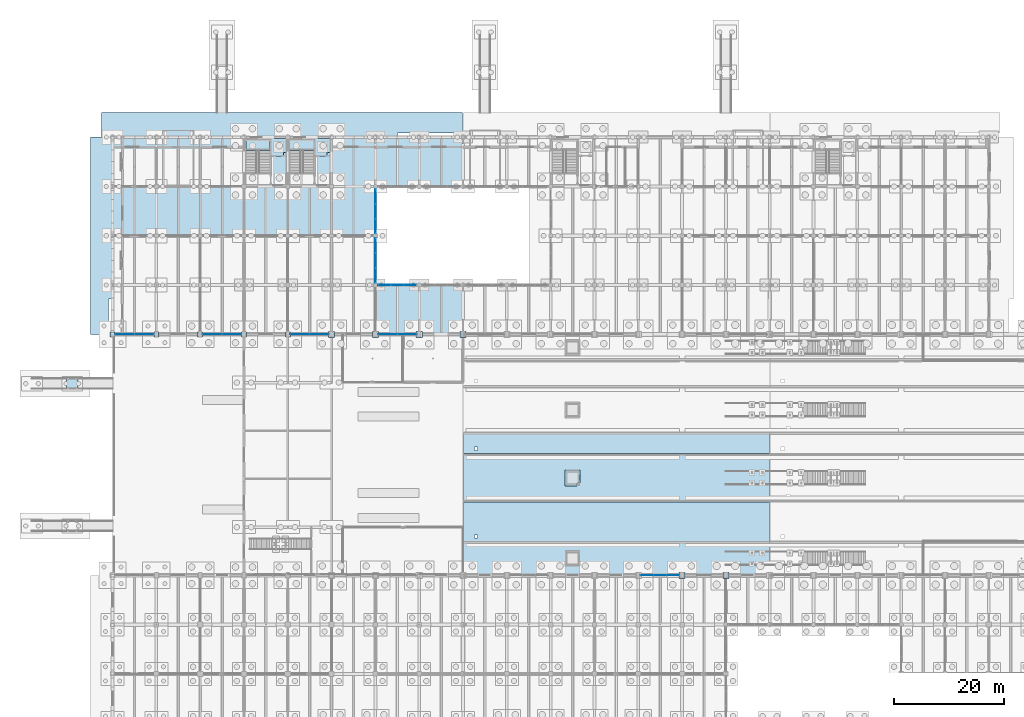
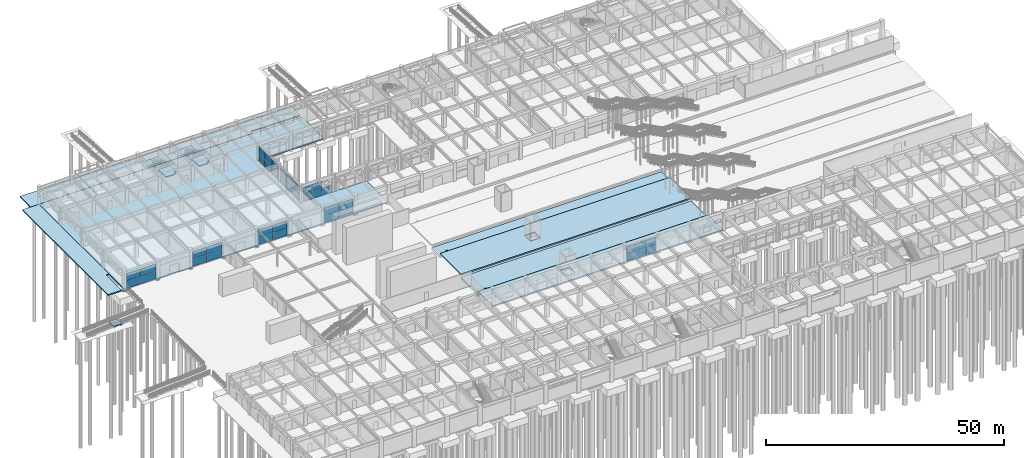
# One storey, part 92 of 147: 50 plates, 13 slabs, 11 elements without a shape of their own.
"""IFC4 building model written with IfcOpenShell, lengths in metres."""

from ifc_helpers import new_model, si_unit, direction, frame, origin, origin_2d, place, context, subcontext, project, spatial, polyline, rectangle, outline, extrude, material, layer, layer_set, type_object, element, aggregate, save


model = new_model("IFC4")

# Units and contexts
model_context = context("Model", 3, precision=1e-05, world=origin(), true_north=direction((0.0, 1.0)))
body_context = subcontext(model_context, "Body", "Model", "MODEL_VIEW")
ifc_project = project(units=[si_unit("LENGTHUNIT", "METRE"), si_unit("AREAUNIT", "SQUARE_METRE"), si_unit("VOLUMEUNIT", "CUBIC_METRE"), si_unit("PLANEANGLEUNIT", "RADIAN"), si_unit("MASSUNIT", "GRAM", prefix="KILO")], contexts=[model_context])

# Site, building, storey
site_placement = place(None, origin())
site = spatial("IfcSite", under=ifc_project, at=site_placement, CompositionType="ELEMENT")
building_placement = place(site_placement, origin())
building = spatial("IfcBuilding", under=site, at=building_placement, Name="Varnabhumi Central Station", CompositionType="ELEMENT")
storey_placement = place(building_placement, origin())
storey = spatial("IfcBuildingStorey", under=building, at=storey_placement, Name="L00", CompositionType="ELEMENT", Elevation=0.0)

# Curtain wall, plates
ifc_material_1 = material(Name="Anodised aluminium 6063-T6", Category="aluminium")
curtain_wall_type_1 = type_object("IfcCurtainWallType", Name="CW-PATIO-LOGGIA-L0", PredefinedType="NOTDEFINED", material=ifc_material_1)
curtain_wall_1_placement = place(storey_placement, origin())
curtain_wall_1 = element("IfcCurtainWall", 1, at=curtain_wall_1_placement, inside=storey, type_object=curtain_wall_type_1, Name="Curtain Wall CW-NP0S1", PredefinedType="NOTDEFINED")
ifc_material_2 = material(Name="Laminated low-E double glazing", Category="glass")
ifc_layer_1 = layer(ifc_material_2, 0.035888671875, Name="Laminated low-E double glazing", Category="glass")
ifc_layer_set_1 = layer_set([ifc_layer_1], Name="Laminated low-E double glazing")
plate_type_1 = type_object("IfcPlateType", Name="CW-PNL-GLZ-1", PredefinedType="CURTAIN_PANEL", material=ifc_layer_set_1)
plate_1_placement = place(storey_placement, frame((49.679931640625, 89.0, 0.0400390625), z_axis=(0.0, 0.0, 1.0), x_axis=(1.0, 0.0, 0.0)))
plate_1 = element("IfcPlate", 2, at=plate_1_placement, type_object=plate_type_1, Name="Glazed Panel CW-NP0S1-P11", PredefinedType="CURTAIN_PANEL", context=body_context, shape_type="SweptSolid", body=[
    extrude(rectangle(XDim=2.239990234375, YDim=0.035888671875, at=origin_2d()), origin(), (0.0, 0.0, 1.0), 1.840087890625),
])
plate_2_placement = place(storey_placement, frame((49.679931640625, 89.0, 1.9599609375), z_axis=(0.0, 0.0, 1.0), x_axis=(1.0, 0.0, 0.0)))
plate_2 = element("IfcPlate", 3, at=plate_2_placement, type_object=plate_type_1, Name="Glazed Panel CW-NP0S1-P12", PredefinedType="CURTAIN_PANEL", context=body_context, shape_type="SweptSolid", body=[
    extrude(rectangle(XDim=2.239990234375, YDim=0.035888671875, at=origin_2d()), origin(), (0.0, 0.0, 1.0), 1.840087890625),
])
plate_3_placement = place(storey_placement, frame((52.0, 89.0, 0.0400390625), z_axis=(0.0, 0.0, 1.0), x_axis=(1.0, 0.0, 0.0)))
plate_3 = element("IfcPlate", 4, at=plate_3_placement, type_object=plate_type_1, Name="Glazed Panel CW-NP0S1-P21", PredefinedType="CURTAIN_PANEL", context=body_context, shape_type="SweptSolid", body=[
    extrude(rectangle(XDim=2.239990234375, YDim=0.035888671875, at=origin_2d()), origin(), (0.0, 0.0, 1.0), 1.840087890625),
])
plate_4_placement = place(storey_placement, frame((52.0, 89.0, 1.9599609375), z_axis=(0.0, 0.0, 1.0), x_axis=(1.0, 0.0, 0.0)))
plate_4 = element("IfcPlate", 5, at=plate_4_placement, type_object=plate_type_1, Name="Glazed Panel CW-NP0S1-P22", PredefinedType="CURTAIN_PANEL", context=body_context, shape_type="SweptSolid", body=[
    extrude(rectangle(XDim=2.239990234375, YDim=0.035888671875, at=origin_2d()), origin(), (0.0, 0.0, 1.0), 1.840087890625),
])
plate_5_placement = place(storey_placement, frame((54.320068359375, 89.0, 0.0400390625), z_axis=(0.0, 0.0, 1.0), x_axis=(1.0, 0.0, 0.0)))
plate_5 = element("IfcPlate", 6, at=plate_5_placement, type_object=plate_type_1, Name="Glazed Panel CW-NP0S1-P31", PredefinedType="CURTAIN_PANEL", context=body_context, shape_type="SweptSolid", body=[
    extrude(rectangle(XDim=2.239990234375, YDim=0.035888671875, at=origin_2d()), origin(), (0.0, 0.0, 1.0), 1.840087890625),
])
aggregate(curtain_wall_1, [plate_1, plate_2, plate_3, plate_4, plate_5])

curtain_wall_2_placement = place(storey_placement, origin())
curtain_wall_2 = element("IfcCurtainWall", 7, at=curtain_wall_2_placement, inside=storey, type_object=curtain_wall_type_1, Name="Curtain Wall CW-NP0E1", PredefinedType="NOTDEFINED")
ifc_layer_2 = layer(ifc_material_2, 0.035888671875, Name="Laminated low-E double glazing", Category="glass")
ifc_layer_set_2 = layer_set([ifc_layer_2], Name="Laminated low-E double glazing")
plate_type_2 = type_object("IfcPlateType", Name="CW-PNL-GLZ-2", PredefinedType="CURTAIN_PANEL", material=ifc_layer_set_2)
plate_6_placement = place(storey_placement, frame((48.0, 90.780029296875, 0.0400390625), z_axis=(0.0, 0.0, 1.0), x_axis=(0.0, 1.0, 0.0)))
plate_6 = element("IfcPlate", 8, at=plate_6_placement, type_object=plate_type_2, Name="Glazed Panel CW-NP0E1-P11", PredefinedType="CURTAIN_PANEL", context=body_context, shape_type="SweptSolid", body=[
    extrude(rectangle(XDim=2.639892578125, YDim=0.035888671875, at=origin_2d()), origin(), (0.0, 0.0, 1.0), 1.840087890625),
])
plate_7_placement = place(storey_placement, frame((48.0, 90.780029296875, 1.9599609375), z_axis=(0.0, 0.0, 1.0), x_axis=(0.0, 1.0, 0.0)))
plate_7 = element("IfcPlate", 9, at=plate_7_placement, type_object=plate_type_2, Name="Glazed Panel CW-NP0E1-P12", PredefinedType="CURTAIN_PANEL", context=body_context, shape_type="SweptSolid", body=[
    extrude(rectangle(XDim=2.639892578125, YDim=0.035888671875, at=origin_2d()), origin(), (0.0, 0.0, 1.0), 1.840087890625),
])
plate_8_placement = place(storey_placement, frame((48.0, 93.5, 0.0400390625), z_axis=(0.0, 0.0, 1.0), x_axis=(0.0, 1.0, 0.0)))
plate_8 = element("IfcPlate", 10, at=plate_8_placement, type_object=plate_type_2, Name="Glazed Panel CW-NP0E1-P21", PredefinedType="CURTAIN_PANEL", context=body_context, shape_type="SweptSolid", body=[
    extrude(rectangle(XDim=2.639892578125, YDim=0.035888671875, at=origin_2d()), origin(), (0.0, 0.0, 1.0), 1.840087890625),
])
plate_9_placement = place(storey_placement, frame((48.0, 93.5, 1.9599609375), z_axis=(0.0, 0.0, 1.0), x_axis=(0.0, 1.0, 0.0)))
plate_9 = element("IfcPlate", 11, at=plate_9_placement, type_object=plate_type_2, Name="Glazed Panel CW-NP0E1-P22", PredefinedType="CURTAIN_PANEL", context=body_context, shape_type="SweptSolid", body=[
    extrude(rectangle(XDim=2.639892578125, YDim=0.035888671875, at=origin_2d()), origin(), (0.0, 0.0, 1.0), 1.840087890625),
])
plate_10_placement = place(storey_placement, frame((48.0, 96.219970703125, 0.0400390625), z_axis=(0.0, 0.0, 1.0), x_axis=(0.0, 1.0, 0.0)))
plate_10 = element("IfcPlate", 12, at=plate_10_placement, type_object=plate_type_2, Name="Glazed Panel CW-NP0E1-P31", PredefinedType="CURTAIN_PANEL", context=body_context, shape_type="SweptSolid", body=[
    extrude(rectangle(XDim=2.639892578125, YDim=0.035888671875, at=origin_2d()), origin(), (0.0, 0.0, 1.0), 1.840087890625),
])
plate_11_placement = place(storey_placement, frame((48.0, 96.219970703125, 1.9599609375), z_axis=(0.0, 0.0, 1.0), x_axis=(0.0, 1.0, 0.0)))
plate_11 = element("IfcPlate", 13, at=plate_11_placement, type_object=plate_type_2, Name="Glazed Panel CW-NP0E1-P32", PredefinedType="CURTAIN_PANEL", context=body_context, shape_type="SweptSolid", body=[
    extrude(rectangle(XDim=2.639892578125, YDim=0.035888671875, at=origin_2d()), origin(), (0.0, 0.0, 1.0), 1.840087890625),
])
aggregate(curtain_wall_2, [plate_6, plate_7, plate_8, plate_9, plate_10, plate_11])

curtain_wall_3_placement = place(storey_placement, origin())
curtain_wall_3 = element("IfcCurtainWall", 14, at=curtain_wall_3_placement, inside=storey, type_object=curtain_wall_type_1, Name="Curtain Wall CW-NP0E2", PredefinedType="NOTDEFINED")
plate_12_placement = place(storey_placement, frame((48.0, 99.780029296875, 0.0400390625), z_axis=(0.0, 0.0, 1.0), x_axis=(0.0, 1.0, 0.0)))
plate_12 = element("IfcPlate", 15, at=plate_12_placement, type_object=plate_type_2, Name="Glazed Panel CW-NP0E2-P11", PredefinedType="CURTAIN_PANEL", context=body_context, shape_type="SweptSolid", body=[
    extrude(rectangle(XDim=2.639892578125, YDim=0.035888671875, at=origin_2d()), origin(), (0.0, 0.0, 1.0), 1.840087890625),
])
plate_13_placement = place(storey_placement, frame((48.0, 99.780029296875, 1.9599609375), z_axis=(0.0, 0.0, 1.0), x_axis=(0.0, 1.0, 0.0)))
plate_13 = element("IfcPlate", 16, at=plate_13_placement, type_object=plate_type_2, Name="Glazed Panel CW-NP0E2-P12", PredefinedType="CURTAIN_PANEL", context=body_context, shape_type="SweptSolid", body=[
    extrude(rectangle(XDim=2.639892578125, YDim=0.035888671875, at=origin_2d()), origin(), (0.0, 0.0, 1.0), 1.840087890625),
])
plate_14_placement = place(storey_placement, frame((48.0, 102.5, 0.0400390625), z_axis=(0.0, 0.0, 1.0), x_axis=(0.0, 1.0, 0.0)))
plate_14 = element("IfcPlate", 17, at=plate_14_placement, type_object=plate_type_2, Name="Glazed Panel CW-NP0E2-P21", PredefinedType="CURTAIN_PANEL", context=body_context, shape_type="SweptSolid", body=[
    extrude(rectangle(XDim=2.639892578125, YDim=0.035888671875, at=origin_2d()), origin(), (0.0, 0.0, 1.0), 1.840087890625),
])
plate_15_placement = place(storey_placement, frame((48.0, 102.5, 1.9599609375), z_axis=(0.0, 0.0, 1.0), x_axis=(0.0, 1.0, 0.0)))
plate_15 = element("IfcPlate", 18, at=plate_15_placement, type_object=plate_type_2, Name="Glazed Panel CW-NP0E2-P22", PredefinedType="CURTAIN_PANEL", context=body_context, shape_type="SweptSolid", body=[
    extrude(rectangle(XDim=2.639892578125, YDim=0.035888671875, at=origin_2d()), origin(), (0.0, 0.0, 1.0), 1.840087890625),
])
plate_16_placement = place(storey_placement, frame((48.0, 105.219970703125, 0.0400390625), z_axis=(0.0, 0.0, 1.0), x_axis=(0.0, 1.0, 0.0)))
plate_16 = element("IfcPlate", 19, at=plate_16_placement, type_object=plate_type_2, Name="Glazed Panel CW-NP0E2-P31", PredefinedType="CURTAIN_PANEL", context=body_context, shape_type="SweptSolid", body=[
    extrude(rectangle(XDim=2.639892578125, YDim=0.035888671875, at=origin_2d()), origin(), (0.0, 0.0, 1.0), 1.840087890625),
])
plate_17_placement = place(storey_placement, frame((48.0, 105.219970703125, 1.9599609375), z_axis=(0.0, 0.0, 1.0), x_axis=(0.0, 1.0, 0.0)))
plate_17 = element("IfcPlate", 20, at=plate_17_placement, type_object=plate_type_2, Name="Glazed Panel CW-NP0E2-P32", PredefinedType="CURTAIN_PANEL", context=body_context, shape_type="SweptSolid", body=[
    extrude(rectangle(XDim=2.639892578125, YDim=0.035888671875, at=origin_2d()), origin(), (0.0, 0.0, 1.0), 1.840087890625),
])
aggregate(curtain_wall_3, [plate_12, plate_13, plate_14, plate_15, plate_16, plate_17])

curtain_wall_type_2 = type_object("IfcCurtainWallType", Name="CW-SPINE-SCREEN-L0", PredefinedType="NOTDEFINED", material=ifc_material_1)
curtain_wall_4_placement = place(storey_placement, origin())
curtain_wall_4 = element("IfcCurtainWall", 21, at=curtain_wall_4_placement, inside=storey, type_object=curtain_wall_type_2, Name="Curtain Wall CW-SS012", PredefinedType="NOTDEFINED")
ifc_layer_3 = layer(ifc_material_2, 0.035888671875, Name="Laminated low-E double glazing", Category="glass")
ifc_layer_set_3 = layer_set([ifc_layer_3], Name="Laminated low-E double glazing")
plate_type_3 = type_object("IfcPlateType", Name="CW-PNL-GLZ-4", PredefinedType="CURTAIN_PANEL", material=ifc_layer_set_3)
plate_18_placement = place(storey_placement, frame((97.63330078125, 36.0, 0.0400390625), z_axis=(0.0, 0.0, 1.0), x_axis=(1.0, 0.0, 0.0)))
plate_18 = element("IfcPlate", 22, at=plate_18_placement, type_object=plate_type_3, Name="Glazed Panel CW-SS012-P11", PredefinedType="CURTAIN_PANEL", context=body_context, shape_type="SweptSolid", body=[
    extrude(rectangle(XDim=2.28662109375, YDim=0.035888671875, at=origin_2d()), origin(), (0.0, 0.0, 1.0), 1.840087890625),
])
plate_19_placement = place(storey_placement, frame((97.63330078125, 36.0, 1.9599609375), z_axis=(0.0, 0.0, 1.0), x_axis=(1.0, 0.0, 0.0)))
plate_19 = element("IfcPlate", 23, at=plate_19_placement, type_object=plate_type_3, Name="Glazed Panel CW-SS012-P12", PredefinedType="CURTAIN_PANEL", context=body_context, shape_type="SweptSolid", body=[
    extrude(rectangle(XDim=2.28662109375, YDim=0.035888671875, at=origin_2d()), origin(), (0.0, 0.0, 1.0), 1.840087890625),
])
plate_20_placement = place(storey_placement, frame((100.0, 36.0, 0.0400390625), z_axis=(0.0, 0.0, 1.0), x_axis=(1.0, 0.0, 0.0)))
plate_20 = element("IfcPlate", 24, at=plate_20_placement, type_object=plate_type_3, Name="Glazed Panel CW-SS012-P21", PredefinedType="CURTAIN_PANEL", context=body_context, shape_type="SweptSolid", body=[
    extrude(rectangle(XDim=2.28662109375, YDim=0.035888671875, at=origin_2d()), origin(), (0.0, 0.0, 1.0), 1.840087890625),
])
plate_21_placement = place(storey_placement, frame((100.0, 36.0, 1.9599609375), z_axis=(0.0, 0.0, 1.0), x_axis=(1.0, 0.0, 0.0)))
plate_21 = element("IfcPlate", 25, at=plate_21_placement, type_object=plate_type_3, Name="Glazed Panel CW-SS012-P22", PredefinedType="CURTAIN_PANEL", context=body_context, shape_type="SweptSolid", body=[
    extrude(rectangle(XDim=2.28662109375, YDim=0.035888671875, at=origin_2d()), origin(), (0.0, 0.0, 1.0), 1.840087890625),
])
plate_22_placement = place(storey_placement, frame((102.36669921875, 36.0, 0.0400390625), z_axis=(0.0, 0.0, 1.0), x_axis=(1.0, 0.0, 0.0)))
plate_22 = element("IfcPlate", 26, at=plate_22_placement, type_object=plate_type_3, Name="Glazed Panel CW-SS012-P31", PredefinedType="CURTAIN_PANEL", context=body_context, shape_type="SweptSolid", body=[
    extrude(rectangle(XDim=2.28662109375, YDim=0.035888671875, at=origin_2d()), origin(), (0.0, 0.0, 1.0), 1.840087890625),
])
plate_23_placement = place(storey_placement, frame((102.36669921875, 36.0, 1.9599609375), z_axis=(0.0, 0.0, 1.0), x_axis=(1.0, 0.0, 0.0)))
plate_23 = element("IfcPlate", 27, at=plate_23_placement, type_object=plate_type_3, Name="Glazed Panel CW-SS012-P32", PredefinedType="CURTAIN_PANEL", context=body_context, shape_type="SweptSolid", body=[
    extrude(rectangle(XDim=2.28662109375, YDim=0.035888671875, at=origin_2d()), origin(), (0.0, 0.0, 1.0), 1.840087890625),
])
aggregate(curtain_wall_4, [plate_18, plate_19, plate_20, plate_21, plate_22, plate_23])

curtain_wall_5_placement = place(storey_placement, origin())
curtain_wall_5 = element("IfcCurtainWall", 28, at=curtain_wall_5_placement, inside=storey, type_object=curtain_wall_type_2, Name="Curtain Wall CW-NS000", PredefinedType="NOTDEFINED")
ifc_layer_4 = layer(ifc_material_2, 0.035888671875, Name="Laminated low-E double glazing", Category="glass")
ifc_layer_set_4 = layer_set([ifc_layer_4], Name="Laminated low-E double glazing")
plate_type_4 = type_object("IfcPlateType", Name="CW-PNL-GLZ-5", PredefinedType="CURTAIN_PANEL", material=ifc_layer_set_4)
plate_24_placement = place(storey_placement, frame((2.22509765625, 80.0, 0.0400390625), z_axis=(0.0, 0.0, 1.0), x_axis=(1.0, 0.0, 0.0)))
plate_24 = element("IfcPlate", 29, at=plate_24_placement, type_object=plate_type_4, Name="Glazed Panel CW-NS000-P11", PredefinedType="CURTAIN_PANEL", context=body_context, shape_type="SweptSolid", body=[
    extrude(rectangle(XDim=3.469970703125, YDim=0.035888671875, at=origin_2d()), origin(), (0.0, 0.0, 1.0), 1.840087890625),
])
plate_25_placement = place(storey_placement, frame((2.22509765625, 80.0, 1.9599609375), z_axis=(0.0, 0.0, 1.0), x_axis=(1.0, 0.0, 0.0)))
plate_25 = element("IfcPlate", 30, at=plate_25_placement, type_object=plate_type_4, Name="Glazed Panel CW-NS000-P12", PredefinedType="CURTAIN_PANEL", context=body_context, shape_type="SweptSolid", body=[
    extrude(rectangle(XDim=3.469970703125, YDim=0.035888671875, at=origin_2d()), origin(), (0.0, 0.0, 1.0), 1.840087890625),
])
plate_26_placement = place(storey_placement, frame((5.77490234375, 80.0, 0.0400390625), z_axis=(0.0, 0.0, 1.0), x_axis=(1.0, 0.0, 0.0)))
plate_26 = element("IfcPlate", 31, at=plate_26_placement, type_object=plate_type_4, Name="Glazed Panel CW-NS000-P21", PredefinedType="CURTAIN_PANEL", context=body_context, shape_type="SweptSolid", body=[
    extrude(rectangle(XDim=3.469970703125, YDim=0.035888671875, at=origin_2d()), origin(), (0.0, 0.0, 1.0), 1.840087890625),
])
plate_27_placement = place(storey_placement, frame((5.77490234375, 80.0, 1.9599609375), z_axis=(0.0, 0.0, 1.0), x_axis=(1.0, 0.0, 0.0)))
plate_27 = element("IfcPlate", 32, at=plate_27_placement, type_object=plate_type_4, Name="Glazed Panel CW-NS000-P22", PredefinedType="CURTAIN_PANEL", context=body_context, shape_type="SweptSolid", body=[
    extrude(rectangle(XDim=3.469970703125, YDim=0.035888671875, at=origin_2d()), origin(), (0.0, 0.0, 1.0), 1.840087890625),
])
aggregate(curtain_wall_5, [plate_24, plate_25, plate_26, plate_27])

curtain_wall_6_placement = place(storey_placement, origin())
curtain_wall_6 = element("IfcCurtainWall", 33, at=curtain_wall_6_placement, inside=storey, type_object=curtain_wall_type_2, Name="Curtain Wall CW-NS002", PredefinedType="NOTDEFINED")
plate_28_placement = place(storey_placement, frame((18.22509765625, 80.0, 0.0400390625), z_axis=(0.0, 0.0, 1.0), x_axis=(1.0, 0.0, 0.0)))
plate_28 = element("IfcPlate", 34, at=plate_28_placement, type_object=plate_type_4, Name="Glazed Panel CW-NS002-P11", PredefinedType="CURTAIN_PANEL", context=body_context, shape_type="SweptSolid", body=[
    extrude(rectangle(XDim=3.469970703125, YDim=0.035888671875, at=origin_2d()), origin(), (0.0, 0.0, 1.0), 1.840087890625),
])
plate_29_placement = place(storey_placement, frame((18.22509765625, 80.0, 1.9599609375), z_axis=(0.0, 0.0, 1.0), x_axis=(1.0, 0.0, 0.0)))
plate_29 = element("IfcPlate", 35, at=plate_29_placement, type_object=plate_type_4, Name="Glazed Panel CW-NS002-P12", PredefinedType="CURTAIN_PANEL", context=body_context, shape_type="SweptSolid", body=[
    extrude(rectangle(XDim=3.469970703125, YDim=0.035888671875, at=origin_2d()), origin(), (0.0, 0.0, 1.0), 1.840087890625),
])
plate_30_placement = place(storey_placement, frame((21.77490234375, 80.0, 0.0400390625), z_axis=(0.0, 0.0, 1.0), x_axis=(1.0, 0.0, 0.0)))
plate_30 = element("IfcPlate", 36, at=plate_30_placement, type_object=plate_type_4, Name="Glazed Panel CW-NS002-P21", PredefinedType="CURTAIN_PANEL", context=body_context, shape_type="SweptSolid", body=[
    extrude(rectangle(XDim=3.469970703125, YDim=0.035888671875, at=origin_2d()), origin(), (0.0, 0.0, 1.0), 1.840087890625),
])
plate_31_placement = place(storey_placement, frame((21.77490234375, 80.0, 1.9599609375), z_axis=(0.0, 0.0, 1.0), x_axis=(1.0, 0.0, 0.0)))
plate_31 = element("IfcPlate", 37, at=plate_31_placement, type_object=plate_type_4, Name="Glazed Panel CW-NS002-P22", PredefinedType="CURTAIN_PANEL", context=body_context, shape_type="SweptSolid", body=[
    extrude(rectangle(XDim=3.469970703125, YDim=0.035888671875, at=origin_2d()), origin(), (0.0, 0.0, 1.0), 1.840087890625),
])
aggregate(curtain_wall_6, [plate_28, plate_29, plate_30, plate_31])

curtain_wall_7_placement = place(storey_placement, origin())
curtain_wall_7 = element("IfcCurtainWall", 38, at=curtain_wall_7_placement, inside=storey, type_object=curtain_wall_type_2, Name="Curtain Wall CW-NS004", PredefinedType="NOTDEFINED")
plate_32_placement = place(storey_placement, frame((34.22509765625, 80.0, 0.0400390625), z_axis=(0.0, 0.0, 1.0), x_axis=(1.0, 0.0, 0.0)))
plate_32 = element("IfcPlate", 39, at=plate_32_placement, type_object=plate_type_4, Name="Glazed Panel CW-NS004-P11", PredefinedType="CURTAIN_PANEL", context=body_context, shape_type="SweptSolid", body=[
    extrude(rectangle(XDim=3.469970703125, YDim=0.035888671875, at=origin_2d()), origin(), (0.0, 0.0, 1.0), 1.840087890625),
])
plate_33_placement = place(storey_placement, frame((34.22509765625, 80.0, 1.9599609375), z_axis=(0.0, 0.0, 1.0), x_axis=(1.0, 0.0, 0.0)))
plate_33 = element("IfcPlate", 40, at=plate_33_placement, type_object=plate_type_4, Name="Glazed Panel CW-NS004-P12", PredefinedType="CURTAIN_PANEL", context=body_context, shape_type="SweptSolid", body=[
    extrude(rectangle(XDim=3.469970703125, YDim=0.035888671875, at=origin_2d()), origin(), (0.0, 0.0, 1.0), 1.840087890625),
])
plate_34_placement = place(storey_placement, frame((37.77490234375, 80.0, 0.0400390625), z_axis=(0.0, 0.0, 1.0), x_axis=(1.0, 0.0, 0.0)))
plate_34 = element("IfcPlate", 41, at=plate_34_placement, type_object=plate_type_4, Name="Glazed Panel CW-NS004-P21", PredefinedType="CURTAIN_PANEL", context=body_context, shape_type="SweptSolid", body=[
    extrude(rectangle(XDim=3.469970703125, YDim=0.035888671875, at=origin_2d()), origin(), (0.0, 0.0, 1.0), 1.840087890625),
])
plate_35_placement = place(storey_placement, frame((37.77490234375, 80.0, 1.9599609375), z_axis=(0.0, 0.0, 1.0), x_axis=(1.0, 0.0, 0.0)))
plate_35 = element("IfcPlate", 42, at=plate_35_placement, type_object=plate_type_4, Name="Glazed Panel CW-NS004-P22", PredefinedType="CURTAIN_PANEL", context=body_context, shape_type="SweptSolid", body=[
    extrude(rectangle(XDim=3.469970703125, YDim=0.035888671875, at=origin_2d()), origin(), (0.0, 0.0, 1.0), 1.840087890625),
])
aggregate(curtain_wall_7, [plate_32, plate_33, plate_34, plate_35])

curtain_wall_8_placement = place(storey_placement, origin())
curtain_wall_8 = element("IfcCurtainWall", 43, at=curtain_wall_8_placement, inside=storey, type_object=curtain_wall_type_2, Name="Curtain Wall CW-NS006", PredefinedType="NOTDEFINED")
plate_36_placement = place(storey_placement, frame((50.22509765625, 80.0, 0.0400390625), z_axis=(0.0, 0.0, 1.0), x_axis=(1.0, 0.0, 0.0)))
plate_36 = element("IfcPlate", 44, at=plate_36_placement, type_object=plate_type_4, Name="Glazed Panel CW-NS006-P11", PredefinedType="CURTAIN_PANEL", context=body_context, shape_type="SweptSolid", body=[
    extrude(rectangle(XDim=3.469970703125, YDim=0.035888671875, at=origin_2d()), origin(), (0.0, 0.0, 1.0), 1.840087890625),
])
plate_37_placement = place(storey_placement, frame((50.22509765625, 80.0, 1.9599609375), z_axis=(0.0, 0.0, 1.0), x_axis=(1.0, 0.0, 0.0)))
plate_37 = element("IfcPlate", 45, at=plate_37_placement, type_object=plate_type_4, Name="Glazed Panel CW-NS006-P12", PredefinedType="CURTAIN_PANEL", context=body_context, shape_type="SweptSolid", body=[
    extrude(rectangle(XDim=3.469970703125, YDim=0.035888671875, at=origin_2d()), origin(), (0.0, 0.0, 1.0), 1.840087890625),
])
plate_38_placement = place(storey_placement, frame((53.77490234375, 80.0, 0.0400390625), z_axis=(0.0, 0.0, 1.0), x_axis=(1.0, 0.0, 0.0)))
plate_38 = element("IfcPlate", 46, at=plate_38_placement, type_object=plate_type_4, Name="Glazed Panel CW-NS006-P21", PredefinedType="CURTAIN_PANEL", context=body_context, shape_type="SweptSolid", body=[
    extrude(rectangle(XDim=3.469970703125, YDim=0.035888671875, at=origin_2d()), origin(), (0.0, 0.0, 1.0), 1.840087890625),
])
plate_39_placement = place(storey_placement, frame((53.77490234375, 80.0, 1.9599609375), z_axis=(0.0, 0.0, 1.0), x_axis=(1.0, 0.0, 0.0)))
plate_39 = element("IfcPlate", 47, at=plate_39_placement, type_object=plate_type_4, Name="Glazed Panel CW-NS006-P22", PredefinedType="CURTAIN_PANEL", context=body_context, shape_type="SweptSolid", body=[
    extrude(rectangle(XDim=3.469970703125, YDim=0.035888671875, at=origin_2d()), origin(), (0.0, 0.0, 1.0), 1.840087890625),
])
aggregate(curtain_wall_8, [plate_36, plate_37, plate_38, plate_39])

# Plates
ifc_material_3 = material(Name="Structural steel E350", Category="steel")
ifc_layer_5 = layer(ifc_material_3, 0.050048828125, Name="Structural steel E350", Category="steel")
ifc_layer_set_5 = layer_set([ifc_layer_5], Name="Structural steel E350")
plate_type_5 = type_object("IfcPlateType", Name="PLT-BASE-1100", PredefinedType="USERDEFINED", material=ifc_layer_set_5)
for number, where, z_axis, x_axis, name in (
    (48, (40.0, 80.0, -0.2998046875), (0.0, 0.0, 1.0), (1.0, 0.0, 0.0), "Spine Anchor Base Plate 6-K"),
    (49, (48.0, 80.0, -0.2998046875), (0.0, 0.0, 1.0), (1.0, 0.0, 0.0), "Spine Anchor Base Plate 7-K"),
    (50, (56.0, 80.0, -0.2998046875), (0.0, 0.0, 1.0), (1.0, 0.0, 0.0), "Spine Anchor Base Plate 8-K"),
    (51, (64.0, 80.0, -0.2998046875), (0.0, 0.0, 1.0), (1.0, 0.0, 0.0), "Spine Anchor Base Plate 9-K"),
    (52, (104.0, 36.0, -0.2998046875), (0.0, 0.0, 1.0), (1.0, 0.0, 0.0), "Spine Anchor Base Plate 14-E"),
    (53, (112.0, 36.0, -0.2998046875), (0.0, 0.0, 1.0), (1.0, 0.0, 0.0), "Spine Anchor Base Plate 15-E"),
):
    element("IfcPlate", number, at=place(storey_placement, frame(where, z_axis=z_axis, x_axis=x_axis)), inside=storey, type_object=plate_type_5, Name=name, ObjectType="BASE PLATE", PredefinedType="USERDEFINED", context=body_context, shape_type="SweptSolid", body=[
        extrude(rectangle(XDim=1.10009765625, YDim=1.10009765625, at=origin_2d()), origin(), (0.0, 0.0, 1.0), 0.050048828125),
    ])
ifc_layer_6 = layer(ifc_material_3, 0.044921875, Name="Structural steel E350", Category="steel")
ifc_layer_set_6 = layer_set([ifc_layer_6], Name="Structural steel E350")
plate_type_6 = type_object("IfcPlateType", Name="PLT-BASE-900", PredefinedType="USERDEFINED", material=ifc_layer_set_6)
for number, where, z_axis, x_axis, name in (
    (54, (0.0, 80.0, -0.2998046875), (0.0, 0.0, 1.0), (1.0, 0.0, 0.0), "Spine Anchor Base Plate 1-K"),
    (55, (8.0, 80.0, -0.2998046875), (0.0, 0.0, 1.0), (1.0, 0.0, 0.0), "Spine Anchor Base Plate 2-K"),
    (56, (16.0, 80.0, -0.2998046875), (0.0, 0.0, 1.0), (1.0, 0.0, 0.0), "Spine Anchor Base Plate 3-K"),
    (57, (24.0, 80.0, -0.2998046875), (0.0, 0.0, 1.0), (1.0, 0.0, 0.0), "Spine Anchor Base Plate 4-K"),
    (58, (32.0, 80.0, -0.2998046875), (0.0, 0.0, 1.0), (1.0, 0.0, 0.0), "Spine Anchor Base Plate 5-K"),
):
    element("IfcPlate", number, at=place(storey_placement, frame(where, z_axis=z_axis, x_axis=x_axis)), inside=storey, type_object=plate_type_6, Name=name, ObjectType="BASE PLATE", PredefinedType="USERDEFINED", context=body_context, shape_type="SweptSolid", body=[
        extrude(rectangle(XDim=0.89990234375, YDim=0.89990234375, at=origin_2d()), origin(), (0.0, 0.0, 1.0), 0.050048828125),
    ])

# Slabs
ifc_material_4 = material(Name="Precast concrete M45", Category="concrete")
ifc_layer_7 = layer(ifc_material_4, 0.35009765625, Name="Precast concrete M45", Category="concrete")
ifc_layer_set_7 = layer_set([ifc_layer_7], Name="Precast concrete M45")
slab_type_1 = type_object("IfcSlabType", Name="SLB-PLATFORM-350", PredefinedType="FLOOR", material=ifc_layer_set_7)
slab_1_placement = place(storey_placement, frame((0.0, 0.0, -0.35009765625)))
element("IfcSlab", 59, at=slab_1_placement, inside=storey, type_object=slab_type_1, Name="Platform 1 Deck Slab Seg 1", PredefinedType="FLOOR", context=body_context, shape_type="SweptSolid", body=[
    extrude(outline(polyline([(64.06005859375, 36.0), (119.93994140625, 36.0), (119.93994140625, 42.199951171875), (64.06005859375, 42.199951171875), (64.06005859375, 36.0)]), holes=[polyline([(82.800048828125, 37.89990234375), (85.199951171875, 37.89990234375), (85.199951171875, 40.300048828125), (82.800048828125, 40.300048828125), (82.800048828125, 37.89990234375)])]), origin(), (0.0, 0.0, 1.0), 0.35009765625),
])
slab_2_placement = place(storey_placement, frame((0.0, 0.0, -0.35009765625)))
element("IfcSlab", 60, at=slab_2_placement, inside=storey, type_object=slab_type_1, Name="Platform 2 Deck Slab Seg 1", PredefinedType="FLOOR", context=body_context, shape_type="SweptSolid", body=[
    extrude(outline(polyline([(64.06005859375, 49.39990234375), (119.93994140625, 49.39990234375), (119.93994140625, 58.199951171875), (64.06005859375, 58.199951171875), (64.06005859375, 49.39990234375)]), holes=[polyline([(82.800048828125, 52.60009765625), (85.199951171875, 52.60009765625), (85.199951171875, 55.0), (82.800048828125, 55.0), (82.800048828125, 52.60009765625)])]), origin(), (0.0, 0.0, 1.0), 0.35009765625),
])
ifc_material_5 = material(Name="Concrete M35", Category="concrete")
ifc_layer_8 = layer(ifc_material_5, 0.300048828125, Name="Concrete M35", Category="concrete")
ifc_layer_set_8 = layer_set([ifc_layer_8], Name="Concrete M35")
slab_type_2 = type_object("IfcSlabType", Name="SLB-PLINTH-300", PredefinedType="BASESLAB", material=ifc_layer_set_8)
slab_3_placement = place(storey_placement, frame((0.0, 0.0, -0.300048828125)))
element("IfcSlab", 61, at=slab_3_placement, inside=storey, type_object=slab_type_2, Name="North Wing L00 Floor Slab Zone 1", PredefinedType="BASESLAB", context=body_context, shape_type="SweptSolid", body=[
    extrude(outline(polyline([(0.0, 80.0), (63.93994140625, 80.0), (63.93994140625, 89.0), (48.0, 89.0), (48.0, 107.0), (63.93994140625, 107.0), (63.93994140625, 116.0), (0.0, 116.0), (0.0, 80.0)])), origin(), (0.0, 0.0, 1.0), 0.300048828125),
])
slab_4_placement = place(storey_placement, frame((0.0, 0.0, -0.300048828125)))
element("IfcSlab", 62, at=slab_4_placement, inside=storey, type_object=slab_type_2, Name="Exterior Plinth Walkway north_blvd_e", PredefinedType="BASESLAB", context=body_context, shape_type="SweptSolid", body=[
    extrude(outline(polyline([(-2.0, 116.0), (52.071044921875, 116.0), (52.071044921875, 116.81005859375), (63.93994140625, 116.81005859375), (63.93994140625, 120.5), (-2.0, 120.5), (-2.0, 116.0)])), origin(), (0.0, 0.0, 1.0), 0.300048828125),
])
slab_5_placement = place(storey_placement, frame((0.0, 0.0, -0.300048828125)))
element("IfcSlab", 63, at=slab_5_placement, inside=storey, type_object=slab_type_2, Name="Exterior Plinth Walkway east_fc_n", PredefinedType="BASESLAB", context=body_context, shape_type="SweptSolid", body=[
    extrude(outline(polyline([(-4.0, 80.0), (-0.719970703125, 80.0), (-0.719970703125, 86.47998046875), (0.0, 86.47998046875), (0.0, 116.0), (-4.0, 116.0), (-4.0, 80.0)])), origin(), (0.0, 0.0, 1.0), 0.300048828125),
])
slab_6_placement = place(storey_placement, frame((0.0, 0.0, -1.35009765625)))
element("IfcSlab", 64, at=slab_6_placement, inside=storey, type_object=slab_type_2, Name="Lift Pit Base PL-5", PredefinedType="BASESLAB", context=body_context, shape_type="SweptSolid", body=[
    extrude(outline(polyline([(28.949951171875, 112.60009765625), (31.199951171875, 112.60009765625), (31.199951171875, 113.199951171875), (31.800048828125, 113.199951171875), (31.800048828125, 115.800048828125), (28.949951171875, 115.800048828125), (28.949951171875, 112.60009765625)])), origin(), (0.0, 0.0, 1.0), 0.300048828125),
])
slab_7_placement = place(storey_placement, frame((0.0, 0.0, -1.35009765625)))
element("IfcSlab", 65, at=slab_7_placement, inside=storey, type_object=slab_type_2, Name="Lift Pit Base PL-9", PredefinedType="BASESLAB", context=body_context, shape_type="SweptSolid", body=[
    extrude(outline(polyline([(36.949951171875, 112.60009765625), (39.199951171875, 112.60009765625), (39.199951171875, 113.199951171875), (39.800048828125, 113.199951171875), (39.800048828125, 115.800048828125), (36.949951171875, 115.800048828125), (36.949951171875, 112.60009765625)])), origin(), (0.0, 0.0, 1.0), 0.300048828125),
])
slab_8_placement = place(storey_placement, frame((0.0, 0.0, -1.35009765625)))
element("IfcSlab", 66, at=slab_8_placement, inside=storey, type_object=slab_type_2, Name="Lift Pit Base PL-2", PredefinedType="BASESLAB", context=body_context, shape_type="SweptSolid", body=[
    extrude(outline(polyline([(82.60009765625, 52.35009765625), (84.85009765625, 52.35009765625), (84.85009765625, 52.89990234375), (85.39990234375, 52.89990234375), (85.39990234375, 55.25), (82.60009765625, 55.25), (82.60009765625, 52.35009765625)])), origin(), (0.0, 0.0, 1.0), 0.300048828125),
])

# Ramp, slab
ifc_material_6 = material(Name="Concrete M40", Category="concrete")
ramp_type = type_object("IfcRampType", Name="RAMP-PLINTH-1800", PredefinedType="TWO_STRAIGHT_RUN_RAMP", material=ifc_material_6)
ramp_placement = place(storey_placement, origin())
ramp = element("IfcRamp", 67, at=ramp_placement, inside=storey, type_object=ramp_type, Name="Accessible Plinth Ramp RMP-FC-N", PredefinedType="TWO_STRAIGHT_RUN_RAMP")
ifc_layer_9 = layer(ifc_material_6, 0.219970703125, Name="Concrete M40", Category="concrete")
ifc_layer_set_9 = layer_set([ifc_layer_9], Name="Concrete M40")
slab_type_3 = type_object("IfcSlabType", Name="SLB-RAMP-LANDING", PredefinedType="LANDING", material=ifc_layer_set_9)
slab_9_placement = place(storey_placement, frame((0.0, 0.0, -0.7451171875)))
slab_9 = element("IfcSlab", 68, at=slab_9_placement, type_object=slab_type_3, Name="RMP-FC-N Intermediate Landing", PredefinedType="LANDING", context=body_context, shape_type="SweptSolid", body=[
    extrude(outline(polyline([(-8.39990234375, 70.0), (-6.300048828125, 70.0), (-6.300048828125, 72.0), (-8.39990234375, 72.0), (-8.39990234375, 70.0)])), origin(), (0.0, 0.0, 1.0), 0.22021484375),
])
aggregate(ramp, [slab_9])

# Stair, slab
stair_type = type_object("IfcStairType", Name="STR-CORE-4800", PredefinedType="DOUBLE_RETURN_STAIR", material=ifc_material_6)
stair_1_placement = place(storey_placement, origin())
stair_1 = element("IfcStair", 69, at=stair_1_placement, inside=storey, type_object=stair_type, Name="Core Stair ST-N1 (L00)", PredefinedType="DOUBLE_RETURN_STAIR")
ifc_layer_10 = layer(ifc_material_6, 0.179931640625, Name="Concrete M40", Category="concrete")
ifc_layer_set_10 = layer_set([ifc_layer_10], Name="Concrete M40")
slab_type_4 = type_object("IfcSlabType", Name="SLB-STAIR-LAND", PredefinedType="LANDING", material=ifc_layer_set_10)
slab_10_placement = place(storey_placement, frame((0.0, 0.0, 2.219970703125)))
slab_10 = element("IfcSlab", 70, at=slab_10_placement, type_object=slab_type_4, Name="ST-N1 L00 Half Landing", PredefinedType="LANDING", context=body_context, shape_type="SweptSolid", body=[
    extrude(outline(polyline([(24.340087890625, 113.614990234375), (28.760009765625, 113.614990234375), (28.760009765625, 115.639892578125), (24.340087890625, 115.639892578125), (24.340087890625, 113.614990234375)])), origin(), (0.0, 0.0, 1.0), 0.179931640625),
])
aggregate(stair_1, [slab_10])

stair_2_placement = place(storey_placement, origin())
stair_2 = element("IfcStair", 71, at=stair_2_placement, inside=storey, type_object=stair_type, Name="Core Stair ST-N4 (L00)", PredefinedType="DOUBLE_RETURN_STAIR")
slab_11_placement = place(storey_placement, frame((0.0, 0.0, 2.219970703125)))
slab_11 = element("IfcSlab", 72, at=slab_11_placement, type_object=slab_type_4, Name="ST-N4 L00 Half Landing", PredefinedType="LANDING", context=body_context, shape_type="SweptSolid", body=[
    extrude(outline(polyline([(32.340087890625, 113.614990234375), (36.760009765625, 113.614990234375), (36.760009765625, 115.639892578125), (32.340087890625, 115.639892578125), (32.340087890625, 113.614990234375)])), origin(), (0.0, 0.0, 1.0), 0.179931640625),
])
aggregate(stair_2, [slab_11])

# Slabs
ifc_layer_11 = layer(ifc_material_5, 0.5, Name="Concrete M35", Category="concrete")
ifc_layer_set_11 = layer_set([ifc_layer_11], Name="Concrete M35")
slab_type_5 = type_object("IfcSlabType", Name="SLB-TRACK-500", PredefinedType="BASESLAB", material=ifc_layer_set_11)
slab_12_placement = place(storey_placement, frame((0.0, 0.0, -1.2548828125)))
element("IfcSlab", 73, at=slab_12_placement, inside=storey, type_object=slab_type_5, Name="Broad-Gauge Track-Bed Slab TRK-12-1", PredefinedType="BASESLAB", context=body_context, shape_type="SweptSolid", body=[
    extrude(outline(polyline([(64.06005859375, 42.199951171875), (119.93994140625, 42.199951171875), (119.93994140625, 49.39990234375), (64.06005859375, 49.39990234375), (64.06005859375, 42.199951171875)]), holes=[polyline([(66.06005859375, 42.800048828125), (66.659912109375, 42.800048828125), (66.659912109375, 43.39990234375), (66.06005859375, 43.39990234375), (66.06005859375, 42.800048828125)])]), origin(), (0.0, 0.0, 1.0), 0.5),
])
slab_13_placement = place(storey_placement, frame((0.0, 0.0, -1.2548828125)))
element("IfcSlab", 74, at=slab_13_placement, inside=storey, type_object=slab_type_5, Name="Broad-Gauge Track-Bed Slab TRK-3-1", PredefinedType="BASESLAB", context=body_context, shape_type="SweptSolid", body=[
    extrude(outline(polyline([(64.06005859375, 58.199951171875), (119.93994140625, 58.199951171875), (119.93994140625, 61.800048828125), (64.06005859375, 61.800048828125), (64.06005859375, 58.199951171875)]), holes=[polyline([(66.06005859375, 58.800048828125), (66.659912109375, 58.800048828125), (66.659912109375, 59.39990234375), (66.06005859375, 59.39990234375), (66.06005859375, 58.800048828125)])]), origin(), (0.0, 0.0, 1.0), 0.5),
])

save(model, "model.ifc")
